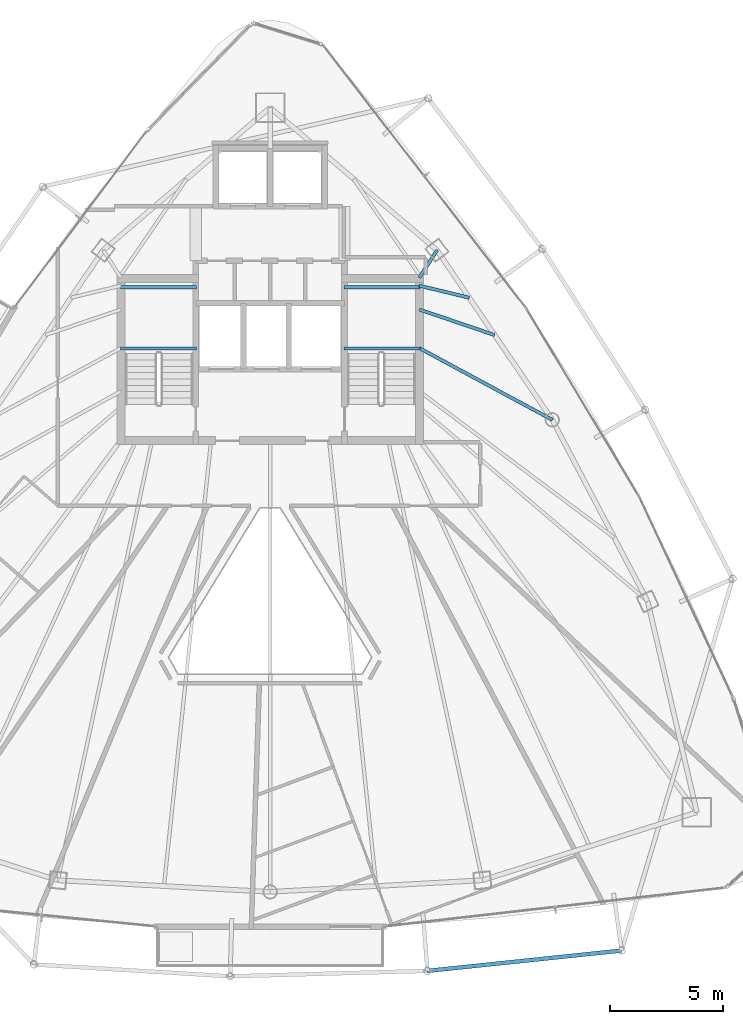
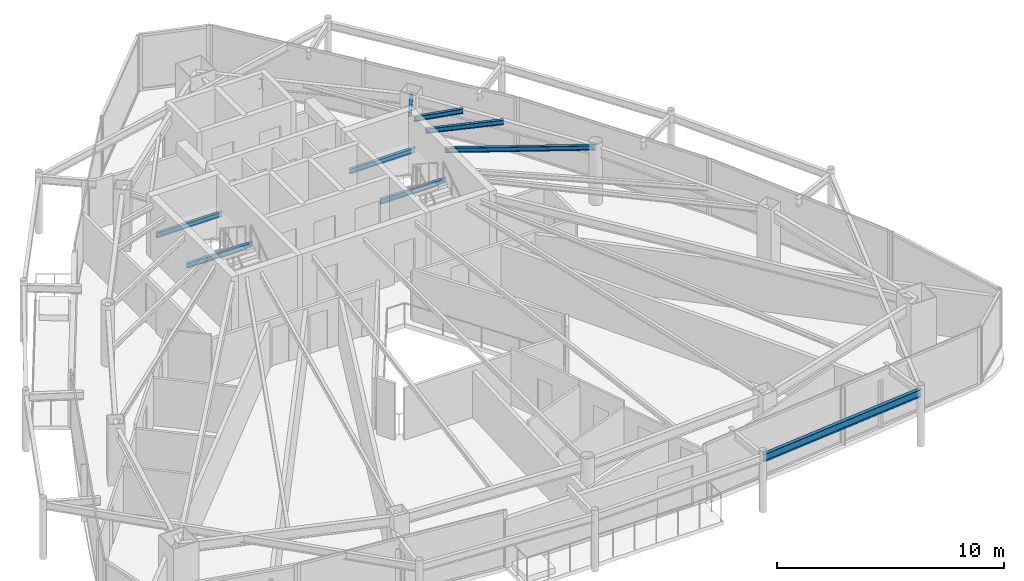
# One storey, part 13 of 29: 9 beams.
"""IFC4 building model written with IfcOpenShell, lengths in metres."""

from ifc_helpers import new_model, si_unit, direction, frame, origin, origin_2d, place, context, subcontext, project, spatial, i_section, extrude, material, material_profile, profile_set, type_object, element, save


model = new_model("IFC4")

# Units and contexts
model_context = context("Model", 3, precision=1e-05, world=origin(), true_north=direction((0.0, 1.0)))
body_context = subcontext(model_context, "Body", "Model", "MODEL_VIEW")
ifc_project = project(units=[si_unit("LENGTHUNIT", "METRE"), si_unit("AREAUNIT", "SQUARE_METRE"), si_unit("VOLUMEUNIT", "CUBIC_METRE"), si_unit("PLANEANGLEUNIT", "RADIAN"), si_unit("MASSUNIT", "GRAM", prefix="KILO")], contexts=[model_context])

# Site, building, storey
site_placement = place(None, origin())
site = spatial("IfcSite", under=ifc_project, at=site_placement, CompositionType="ELEMENT")
building_placement = place(site_placement, origin())
building = spatial("IfcBuilding", under=site, at=building_placement, Name="Orvanel Arch Residences", CompositionType="ELEMENT")
storey_placement = place(building_placement, frame((0.0, 0.0, 243.64990234375)))
storey = spatial("IfcBuildingStorey", under=building, at=storey_placement, Name="L69", CompositionType="ELEMENT", Elevation=243.64990234375)

# Beams
ifc_material = material(Name="Structural steel AS/NZS 3679.1 Grade 300 (300 MPa)", Category="steel")
ifc_material_profile_1 = material_profile(ifc_material, i_section(OverallWidth=0.14599609375, OverallDepth=0.251953125, WebThickness=0.006103515625, FlangeThickness=0.008544921875, at=origin_2d()), Name="250UB31.4")
ifc_profile_set_1 = profile_set([ifc_material_profile_1], Name="Structural steel AS/NZS 3679.1 Grade 300 (300 MPa)")
beam_type_1 = type_object("IfcBeamType", Name="BJ-250UB", PredefinedType="JOIST", material=ifc_profile_set_1)
for number, where, z_axis, x_axis, name in (
    (1, (26.39990234375, 30.780029296875, 1.32421875), (1.0, 0.0, 0.0), (0.0, 1.0, 0.0), "L69 ST-1 Half-Landing Support Beam 1.1"),
    (2, (26.39990234375, 33.47998046875, 1.32421875), (1.0, 0.0, 0.0), (0.0, 1.0, 0.0), "L69 ST-1 Half-Landing Support Beam 1.2"),
    (3, (36.25, 30.780029296875, 1.32421875), (1.0, 0.0, 0.0), (0.0, 1.0, 0.0), "L69 ST-2 Half-Landing Support Beam 1.1"),
    (4, (36.25, 33.47998046875, 1.32421875), (1.0, 0.0, 0.0), (0.0, 1.0, 0.0), "L69 ST-2 Half-Landing Support Beam 1.2"),
):
    element("IfcBeam", number, at=place(storey_placement, frame(where, z_axis=z_axis, x_axis=x_axis)), inside=storey, type_object=beam_type_1, Name=name, PredefinedType="JOIST", context=body_context, shape_type="SweptSolid", body=[
        extrude(i_section(OverallWidth=0.14599609375, OverallDepth=0.251953125, WebThickness=0.006103515625, FlangeThickness=0.008544921875, at=origin_2d()), origin(), (0.0, 0.0, 1.0), 3.35009765625),
    ])
beam_1_placement = place(storey_placement, frame((39.574951171875, 33.89990234375, 2.93408203125), z_axis=(0.539395075146, 0.842052820735, 0.0), x_axis=(-0.842052820735, 0.539395075146, 0.0)))
element("IfcBeam", 5, at=beam_1_placement, inside=storey, type_object=beam_type_1, Name="L69 NNE Wing Floor Joist", PredefinedType="JOIST", context=body_context, shape_type="SweptSolid", body=[
    extrude(i_section(OverallWidth=0.14599609375, OverallDepth=0.251953125, WebThickness=0.006103515625, FlangeThickness=0.008544921875, at=origin_2d()), origin(), (0.0, 0.0, 1.0), 1.440673828125),
])
beam_2_placement = place(storey_placement, frame((39.574951171875, 30.800048828125, 2.93408203125), z_axis=(0.880111494021, -0.474767056664, 0.0), x_axis=(0.474767056664, 0.880111494021, 0.0)))
element("IfcBeam", 6, at=beam_2_placement, inside=storey, type_object=beam_type_1, Name="L69 NE Wing Floor Joist", PredefinedType="JOIST", context=body_context, shape_type="SweptSolid", body=[
    extrude(i_section(OverallWidth=0.14599609375, OverallDepth=0.251953125, WebThickness=0.006103515625, FlangeThickness=0.008544921875, at=origin_2d()), origin(), (0.0, 0.0, 1.0), 6.653564453125),
])
beam_3_placement = place(storey_placement, frame((39.574951171875, 32.5, 2.93408203125), z_axis=(0.947159269453, -0.320763648641, 0.0), x_axis=(0.320763648641, 0.947159269453, 0.0)))
element("IfcBeam", 7, at=beam_3_placement, inside=storey, type_object=beam_type_1, Name="L69 ENE Wing Floor Joist", PredefinedType="JOIST", context=body_context, shape_type="SweptSolid", body=[
    extrude(i_section(OverallWidth=0.14599609375, OverallDepth=0.251953125, WebThickness=0.006103515625, FlangeThickness=0.008544921875, at=origin_2d()), origin(), (0.0, 0.0, 1.0), 3.501220703125),
])
beam_4_placement = place(storey_placement, frame((39.574951171875, 33.550048828125, 2.93408203125), z_axis=(0.972256833016, -0.23391590509, 0.0), x_axis=(0.23391590509, 0.972256833016, 0.0)))
element("IfcBeam", 8, at=beam_4_placement, inside=storey, type_object=beam_type_1, Name="L69 JADD4 Wing Floor Joist", PredefinedType="JOIST", context=body_context, shape_type="SweptSolid", body=[
    extrude(i_section(OverallWidth=0.14599609375, OverallDepth=0.251953125, WebThickness=0.006103515625, FlangeThickness=0.008544921875, at=origin_2d()), origin(), (0.0, 0.0, 1.0), 2.26171875),
])
ifc_material_profile_2 = material_profile(ifc_material, i_section(OverallWidth=0.177978515625, OverallDepth=0.406005859375, WebThickness=0.0078125, FlangeThickness=0.0126953125, at=origin_2d()), Name="410UB59.7")
ifc_profile_set_2 = profile_set([ifc_material_profile_2], Name="Structural steel AS/NZS 3679.1 Grade 300 (300 MPa)")
beam_type_2 = type_object("IfcBeamType", Name="OB-410UB-EXT", PredefinedType="SPANDREL", material=ifc_profile_set_2)
beam_5_placement = place(storey_placement, frame((39.93408203125, 3.362060546875, 2.857177734375), z_axis=(0.994558828609, 0.104176467763, 0.0), x_axis=(-0.104176467763, 0.994558828609, 0.0)))
element("IfcBeam", 9, at=beam_5_placement, inside=storey, type_object=beam_type_2, Name="L69 Outer Perimeter Floor Ring Beam 07", PredefinedType="SPANDREL", context=body_context, shape_type="SweptSolid", body=[
    extrude(i_section(OverallWidth=0.177978515625, OverallDepth=0.406005859375, WebThickness=0.0078125, FlangeThickness=0.0126953125, at=origin_2d()), origin(), (0.0, 0.0, 1.0), 8.600830078125),
])

save(model, "model.ifc")
